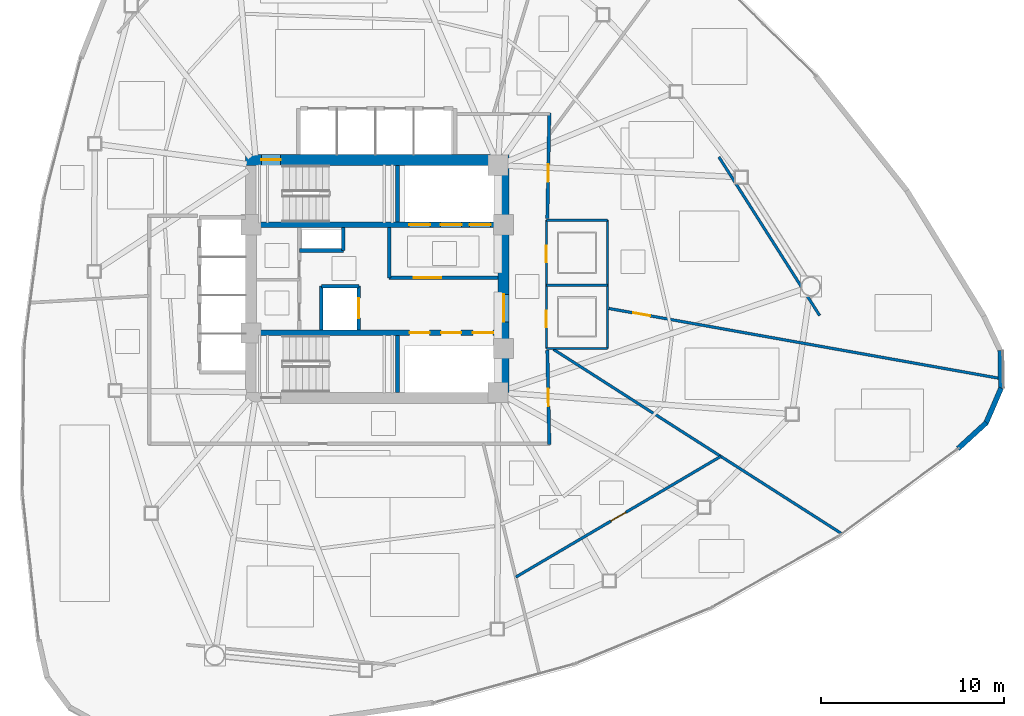
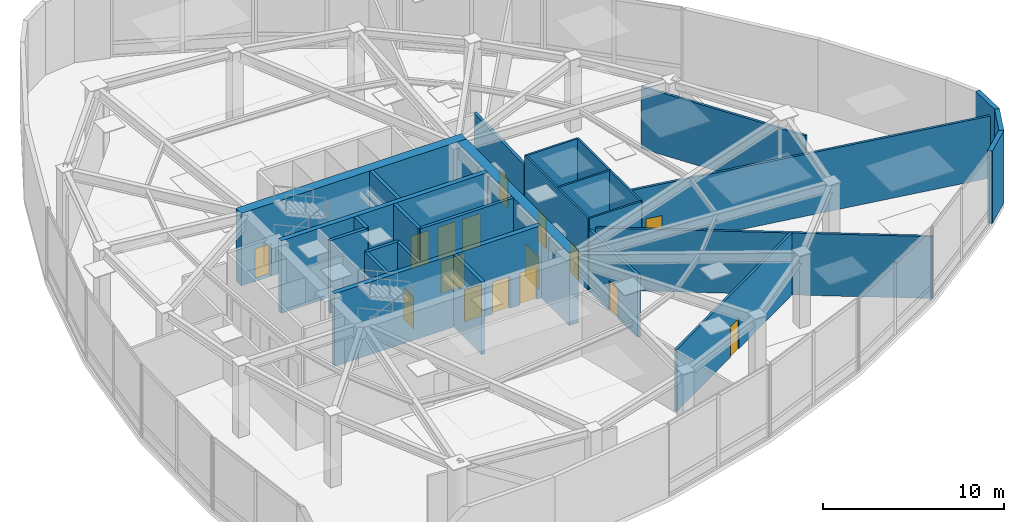
# One storey, part 10 of 14: 27 walls, 16 doors, 16 openings.
"""IFC4 building model written with IfcOpenShell, lengths in metres."""

import ifcopenshell
import ifcopenshell.guid

model = None  # the IFC model being written
_history = None  # IfcOwnerHistory: only IFC2X3 demands one
_inside = {}  # id of a spatial element -> (the spatial element, [elements in it])
_under = {}  # id of a project, library or spatial element -> (it, [spatial elements below it])
_declared = {}  # id of a project -> (the project, [libraries it declares])
_typed = {}  # id of a type object -> (the type object, [elements of that type])
_made_of = {}  # id of a material, layer set ... -> (it, [elements and type objects made of it])


def new_model(schema):
    """Start an empty IFC model of exactly this schema.

    Asked for "IFC4X3", IfcOpenShell would pick the latest addendum, in which some entities
    have other attributes; the version numbers below select the first issue.
    IFC2X3 requires an IfcOwnerHistory on every rooted entity: one is made here for all.
    """
    global model, _history
    if schema == "IFC4X3":
        model = ifcopenshell.file(schema_version=(4, 3, 0, 0))
    else:
        model = ifcopenshell.file(schema=schema)
    _inside.clear()
    _under.clear()
    _declared.clear()
    _typed.clear()
    _made_of.clear()
    _history = None
    if model.schema == "IFC2X3":
        org = make("IfcOrganization", Name="unknown")
        user = make(
            "IfcPersonAndOrganization",
            ThePerson=make("IfcPerson", FamilyName="unknown"),
            TheOrganization=org,
        )
        app = make(
            "IfcApplication",
            ApplicationDeveloper=org,
            Version="unknown",
            ApplicationFullName="unknown",
            ApplicationIdentifier="unknown",
        )
        _history = make(
            "IfcOwnerHistory",
            OwningUser=user,
            OwningApplication=app,
            ChangeAction="ADDED",
            CreationDate=0,
        )
    return model


def make(cls, **values):
    """One entity of the class cls with the attributes given. An attribute that is None is left unset."""
    return model.create_entity(
        cls, **{name: value for name, value in values.items() if value is not None}
    )


def rooted(cls, **values):
    """An entity with a GlobalId (a new one), such as an element, a storey or a relation."""
    return make(cls, GlobalId=ifcopenshell.guid.new(), OwnerHistory=_history, **values)


def si_unit(unit_type, name, prefix=None):
    """IfcSIUnit, for example si_unit("LENGTHUNIT", "METRE", prefix="MILLI")."""
    return make("IfcSIUnit", UnitType=unit_type, Prefix=prefix, Name=name)


def assignment(units):
    """IfcUnitAssignment: the units of a project."""
    return None if units is None else make("IfcUnitAssignment", Units=units)


def point(xyz):
    """IfcCartesianPoint."""
    return None if xyz is None else make("IfcCartesianPoint", Coordinates=xyz)


def direction(xyz):
    """IfcDirection."""
    return None if xyz is None else make("IfcDirection", DirectionRatios=xyz)


def frame(location, z_axis=None, x_axis=None):
    """IfcAxis2Placement3D, a coordinate frame: its origin and axes. An axis left out is left unset."""
    return make(
        "IfcAxis2Placement3D",
        Location=point(location),
        Axis=direction(z_axis),
        RefDirection=direction(x_axis),
    )


def frame_2d(location, x_axis=None):
    """IfcAxis2Placement2D, a coordinate frame in the plane: its origin and x axis."""
    return make(
        "IfcAxis2Placement2D", Location=point(location), RefDirection=direction(x_axis)
    )


def origin():
    """The frame at (0, 0, 0) with its axes left unset."""
    return frame((0.0, 0.0, 0.0))


def place(relative_to, where):
    """IfcLocalPlacement: puts the frame where relative to a parent placement (None: the world)."""
    return make(
        "IfcLocalPlacement", PlacementRelTo=relative_to, RelativePlacement=where
    )


def context(
    kind, dimensions, precision=None, world=None, true_north=None, identifier=None
):
    """IfcGeometricRepresentationContext, for example the 3D "Model" context."""
    return make(
        "IfcGeometricRepresentationContext",
        ContextIdentifier=identifier,
        ContextType=kind,
        CoordinateSpaceDimension=dimensions,
        Precision=precision,
        WorldCoordinateSystem=world,
        TrueNorth=true_north,
    )


def subcontext(parent, identifier, kind, view, scale=None):
    """IfcGeometricRepresentationSubContext, for example "Body" below "Model"."""
    return make(
        "IfcGeometricRepresentationSubContext",
        ContextIdentifier=identifier,
        ContextType=kind,
        ParentContext=parent,
        TargetScale=scale,
        TargetView=view,
    )


def project(units=None, contexts=None):
    """IfcProject with its units and contexts."""
    return rooted(
        "IfcProject",
        Name="project",
        RepresentationContexts=contexts,
        UnitsInContext=assignment(units),
    )


def spatial(cls, under=None, at=None, **own):
    """A site, building, storey or space (cls), placed at a placement, below another one or the project."""
    s = rooted(cls, ObjectPlacement=at, **own)
    if under is not None:
        _under.setdefault(under.id(), (under, []))[1].append(s)
    return s


def profile(cls, at=None, kind="AREA", **sizes):
    """A parametric profile (cls). Its sizes go by their IFC names, for example OverallWidth=200.0."""
    return make(cls, ProfileType=kind, Position=at, **sizes)


def rectangle(**sizes):
    """IfcRectangleProfileDef."""
    return profile("IfcRectangleProfileDef", **sizes)


def extrude(swept, where, along, depth):
    """IfcExtrudedAreaSolid: the profile swept, set in the frame where, extruded along a direction by depth."""
    return make(
        "IfcExtrudedAreaSolid",
        SweptArea=swept,
        Position=where,
        ExtrudedDirection=direction(along),
        Depth=depth,
    )


def shape(context_of_items, identifier, shape_type, items):
    """IfcShapeRepresentation: the items that make up one representation, for example the "Body"."""
    return make(
        "IfcShapeRepresentation",
        ContextOfItems=context_of_items,
        RepresentationIdentifier=identifier,
        RepresentationType=shape_type,
        Items=items,
    )


def material(Name=None, Category=None):
    """IfcMaterial."""
    return make("IfcMaterial", Name=Name, Category=Category)


def layer(
    of_material, thickness, ventilated=None, Name=None, Category=None, Priority=None
):
    """IfcMaterialLayer: one layer of a wall or slab, of a material (None: an air gap)."""
    return make(
        "IfcMaterialLayer",
        Material=of_material,
        LayerThickness=thickness,
        IsVentilated=ventilated,
        Name=Name,
        Category=Category,
        Priority=Priority,
    )


def layer_set(layers, Name=None):
    """IfcMaterialLayerSet."""
    return make("IfcMaterialLayerSet", MaterialLayers=layers, LayerSetName=Name)


def made_of(thing, what):
    """Note that an element or type object is made of a material, layer set ...; save() writes the relation."""
    if what is not None:
        _made_of.setdefault(what.id(), (what, []))[1].append(thing)
    return thing


def type_object(cls, material=None, **own):
    """A type object (cls), such as IfcWallType, which elements share."""
    return made_of(rooted(cls, **own), material)


def element(
    cls,
    number,
    at=None,
    inside=None,
    cuts=None,
    type_object=None,
    material=None,
    context=None,
    identifier="Body",
    shape_type=None,
    held_by="IfcProductDefinitionShape",
    body=None,
    shapes=None,
    **own,
):
    """One element of the class cls, such as IfcWall. Its Tag is "e" and its number.

    at: its placement. inside: the storey or other place that contains it. cuts: it is an
    opening in that element (IfcRelVoidsElement). A single representation is given by context,
    identifier, shape_type and body (its items); several are given by shapes. held_by: the class
    of the entity that holds the representations. save() writes the other relations.
    """
    e = rooted(cls, Tag="e%d" % number, ObjectPlacement=at, **own)
    if body is not None:
        shapes = [shape(context, identifier, shape_type, body)]
    if shapes is not None:
        e.Representation = make(held_by, Representations=shapes)
    if inside is not None:
        _inside.setdefault(inside.id(), (inside, []))[1].append(e)
    if cuts is not None:
        rooted(
            "IfcRelVoidsElement", RelatingBuildingElement=cuts, RelatedOpeningElement=e
        )
    if type_object is not None:
        _typed.setdefault(type_object.id(), (type_object, []))[1].append(e)
    return made_of(e, material)


def fill(opening, filler):
    """IfcRelFillsElement: the door or window that sits in an opening."""
    return rooted(
        "IfcRelFillsElement",
        RelatingOpeningElement=opening,
        RelatedBuildingElement=filler,
    )


def aggregate(whole, parts):
    """IfcRelAggregates: a whole, such as a stair, and the parts it consists of."""
    return rooted("IfcRelAggregates", RelatingObject=whole, RelatedObjects=parts)


def save(model, path):
    """Write the relations noted so far, then the file.

    IfcRelAggregates (storeys below a building ...), IfcRelContainedInSpatialStructure (elements
    in a storey), IfcRelDefinesByType, IfcRelAssociatesMaterial and IfcRelDeclares: one each for
    every whole, place, type object, material and project.
    """
    for whole, parts in _under.values():
        aggregate(whole, parts)
    for where, things in _inside.values():
        rooted(
            "IfcRelContainedInSpatialStructure",
            RelatedElements=things,
            RelatingStructure=where,
        )
    for kind, things in _typed.values():
        rooted("IfcRelDefinesByType", RelatedObjects=things, RelatingType=kind)
    for what, things in _made_of.values():
        rooted("IfcRelAssociatesMaterial", RelatedObjects=things, RelatingMaterial=what)
    for by, libraries in _declared.values():
        rooted("IfcRelDeclares", RelatingContext=by, RelatedDefinitions=libraries)
    model.write(path)


model = new_model("IFC4")

# Units and contexts
model_context = context("Model", 3, precision=1e-05, world=origin(), true_north=direction((0.0, 1.0)))
body_context = subcontext(model_context, "Body", "Model", "MODEL_VIEW")
ifc_project = project(units=[si_unit("LENGTHUNIT", "METRE"), si_unit("AREAUNIT", "SQUARE_METRE"), si_unit("VOLUMEUNIT", "CUBIC_METRE"), si_unit("PLANEANGLEUNIT", "RADIAN"), si_unit("MASSUNIT", "GRAM", prefix="KILO")], contexts=[model_context])

# Site, building, storey
site_placement = place(None, origin())
site = spatial("IfcSite", under=ifc_project, at=site_placement, CompositionType="ELEMENT")
building_placement = place(site_placement, origin())
building = spatial("IfcBuilding", under=site, at=building_placement, Name="Tavelor Broadcast Tower", CompositionType="ELEMENT")
storey_placement = place(building_placement, frame((0.0, 0.0, 110.39990234375)))
storey = spatial("IfcBuildingStorey", under=building, at=storey_placement, Name="L25", CompositionType="ELEMENT", Elevation=110.39990234375)

# Wall, opening, door
ifc_material_1 = material(Name="Concrete C60/75", Category="concrete")
ifc_layer_1 = layer(ifc_material_1, 0.60009765625)
ifc_layer_set_1 = layer_set([ifc_layer_1], Name="Concrete C60/75")
wall_type_1 = type_object("IfcWallType", Name="Core Shear Wall 600 mm", PredefinedType="SHEAR", material=ifc_layer_set_1)
wall_1_placement = place(storey_placement, frame((42.800048828125, 51.5, 0.0), z_axis=(0.0, 0.0, 1.0), x_axis=(1.0, 0.0, 0.0)))
wall_1 = element("IfcWall", 1, at=wall_1_placement, inside=storey, type_object=wall_type_1, Name="L25 Central Core Shear Wall N", PredefinedType="SHEAR", context=body_context, shape_type="SweptSolid", body=[
    extrude(rectangle(XDim=14.39990234375, YDim=0.60009765625, at=frame_2d((7.199951171875, 0.0))), origin(), (0.0, 0.0, 1.0), 4.900146484375),
])
opening_1_placement = place(wall_1_placement, frame((0.8798828125, 0.0, 0.0)))
opening_1 = element("IfcOpeningElement", 2, at=opening_1_placement, cuts=wall_1, Name="Opening DR11", PredefinedType="OPENING", context=body_context, shape_type="SweptSolid", body=[
    extrude(rectangle(XDim=1.050048828125, YDim=2.199951171875, at=frame_2d((0.52490234375, 1.10009765625))), frame((0.0, 0.31005859375, 0.0), z_axis=(0.0, -1.0, 0.0), x_axis=(1.0, 0.0, 0.0)), (0.0, 0.0, 1.0), 0.6201171875),
])
ifc_material_2 = material(Name="Steel S355", Category="steel")
door_type_1 = type_object("IfcDoorType", Name="Stair Core Fire Escape Door 1050x2200", OperationType="NOTDEFINED", PredefinedType="DOOR", material=ifc_material_2)
door_1_placement = place(opening_1_placement, origin())
door_1 = element("IfcDoor", 3, at=door_1_placement, inside=storey, type_object=door_type_1, Name="L25 Stair ST1 Protected Exit Door", OperationType="SINGLE_SWING_LEFT", OverallHeight=2.199951171875, OverallWidth=1.050048828125, PredefinedType="DOOR", context=body_context, shape_type="SweptSolid", body=[
    extrude(rectangle(XDim=1.050048828125, YDim=2.199951171875, at=frame_2d((0.52490234375, 1.10009765625))), frame((0.0, 0.02490234375, 0.0), z_axis=(0.0, -1.0, 0.0), x_axis=(1.0, 0.0, 0.0)), (0.0, 0.0, 1.0), 0.050048828125),
])
fill(opening_1, door_1)

wall_2_placement = place(storey_placement, frame((56.89990234375, 38.800048828125, 0.0), z_axis=(0.0, 0.0, 1.0), x_axis=(0.0, 1.0, 0.0)))
wall_2 = element("IfcWall", 4, at=wall_2_placement, inside=storey, type_object=wall_type_1, Name="L25 Central Core Shear Wall E", PredefinedType="SHEAR", context=body_context, shape_type="SweptSolid", body=[
    extrude(rectangle(XDim=12.39990234375, YDim=0.60009765625, at=frame_2d((6.199951171875, 0.0))), origin(), (0.0, 0.0, 1.0), 4.900146484375),
])
opening_2_placement = place(wall_2_placement, frame((3.85009765625, 0.0, 0.0)))
opening_2 = element("IfcOpeningElement", 5, at=opening_2_placement, cuts=wall_2, Name="Opening DR14", PredefinedType="OPENING", context=body_context, shape_type="SweptSolid", body=[
    extrude(rectangle(XDim=1.5, YDim=2.199951171875, at=frame_2d((0.75, 1.10009765625))), frame((0.0, 0.31005859375, 0.0), z_axis=(0.0, -1.0, 0.0), x_axis=(1.0, 0.0, 0.0)), (0.0, 0.0, 1.0), 0.6201171875),
])
door_type_2 = type_object("IfcDoorType", Name="Firefighting Lobby Double Fire Door 1500x2200", OperationType="NOTDEFINED", PredefinedType="DOOR", material=ifc_material_2)
door_2_placement = place(opening_2_placement, origin())
door_2 = element("IfcDoor", 6, at=door_2_placement, inside=storey, type_object=door_type_2, Name="L25 Central Core Lobby Fire Door", OperationType="SINGLE_SWING_LEFT", OverallHeight=2.199951171875, OverallWidth=1.5, PredefinedType="DOOR", context=body_context, shape_type="SweptSolid", body=[
    extrude(rectangle(XDim=1.5, YDim=2.199951171875, at=frame_2d((0.75, 1.10009765625))), frame((0.0, 0.02490234375, 0.0), z_axis=(0.0, -1.0, 0.0), x_axis=(1.0, 0.0, 0.0)), (0.0, 0.0, 1.0), 0.050048828125),
])
fill(opening_2, door_2)

# Wall, openings, doors
ifc_layer_2 = layer(ifc_material_1, 0.300048828125)
ifc_layer_set_2 = layer_set([ifc_layer_2], Name="Concrete C60/75")
wall_type_2 = type_object("IfcWallType", Name="Core Spine Shear Wall 300 mm C60", PredefinedType="SHEAR", material=ifc_layer_set_2)
wall_3_placement = place(storey_placement, frame((43.39990234375, 47.949951171875, 0.0), z_axis=(0.0, 0.0, 1.0), x_axis=(1.0, 0.0, 0.0)))
wall_3 = element("IfcWall", 7, at=wall_3_placement, inside=storey, type_object=wall_type_2, Name="L25 Central Core Shear Wall SP1", PredefinedType="SHEAR", context=body_context, shape_type="SweptSolid", body=[
    extrude(rectangle(XDim=13.2001953125, YDim=0.300048828125, at=frame_2d((6.60009765625, 0.0))), origin(), (0.0, 0.0, 1.0), 4.900146484375),
])
opening_3_placement = place(wall_3_placement, frame((8.344970703125, 0.0, 0.0)))
opening_3 = element("IfcOpeningElement", 8, at=opening_3_placement, cuts=wall_3, Name="Opening LD02", PredefinedType="OPENING", context=body_context, shape_type="SweptSolid", body=[
    extrude(rectangle(XDim=1.14990234375, YDim=2.199951171875, at=frame_2d((0.574951171875, 1.10009765625))), frame((0.0, 0.16015625, 0.0), z_axis=(0.0, -1.0, 0.0), x_axis=(1.0, 0.0, 0.0)), (0.0, 0.0, 1.0), 0.320068359375),
])
opening_4_placement = place(wall_3_placement, frame((10.06494140625, 0.0, 0.0)))
opening_4 = element("IfcOpeningElement", 9, at=opening_4_placement, cuts=wall_3, Name="Opening LD02", PredefinedType="OPENING", context=body_context, shape_type="SweptSolid", body=[
    extrude(rectangle(XDim=1.14990234375, YDim=2.199951171875, at=frame_2d((0.574951171875, 1.10009765625))), frame((0.0, 0.16015625, 0.0), z_axis=(0.0, -1.0, 0.0), x_axis=(1.0, 0.0, 0.0)), (0.0, 0.0, 1.0), 0.320068359375),
])
opening_5_placement = place(wall_3_placement, frame((11.64501953125, 0.0, 0.0)))
opening_5 = element("IfcOpeningElement", 10, at=opening_5_placement, cuts=wall_3, Name="Opening LD03", PredefinedType="OPENING", context=body_context, shape_type="SweptSolid", body=[
    extrude(rectangle(XDim=1.14990234375, YDim=2.199951171875, at=frame_2d((0.574951171875, 1.10009765625))), frame((0.0, 0.16015625, 0.0), z_axis=(0.0, -1.0, 0.0), x_axis=(1.0, 0.0, 0.0)), (0.0, 0.0, 1.0), 0.320068359375),
])
ifc_material_3 = material(Name="Reinforced Brushed Stainless Steel", Category="concrete")
door_type_3 = type_object("IfcDoorType", Name="Broadcast Goods Lift Sliding Landing Door 1250x2200", OperationType="NOTDEFINED", PredefinedType="DOOR", material=ifc_material_3)
door_3_placement = place(opening_5_placement, origin())
door_3 = element("IfcDoor", 11, at=door_3_placement, inside=storey, type_object=door_type_3, Name="L25 Lift SVL1 Sliding Landing Door", OperationType="SLIDING_TO_LEFT", OverallHeight=2.199951171875, OverallWidth=1.14990234375, PredefinedType="DOOR", context=body_context, shape_type="SweptSolid", body=[
    extrude(rectangle(XDim=1.14990234375, YDim=2.199951171875, at=frame_2d((0.574951171875, 1.10009765625))), frame((0.0, 0.02490234375, 0.0), z_axis=(0.0, -1.0, 0.0), x_axis=(1.0, 0.0, 0.0)), (0.0, 0.0, 1.0), 0.050048828125),
])
fill(opening_5, door_3)
ifc_material_4 = material(Name="Fire-Rated Stainless Steel", Category="steel")
door_type_4 = type_object("IfcDoorType", Name="Firefighting Lift Sliding Landing Door 1200x2200", OperationType="NOTDEFINED", PredefinedType="DOOR", material=ifc_material_4)
door_4_placement = place(opening_3_placement, origin())
door_4 = element("IfcDoor", 12, at=door_4_placement, inside=storey, type_object=door_type_4, Name="L25 Lift FFL1 Sliding Landing Door", OperationType="SLIDING_TO_LEFT", OverallHeight=2.199951171875, OverallWidth=1.14990234375, PredefinedType="DOOR", context=body_context, shape_type="SweptSolid", body=[
    extrude(rectangle(XDim=1.14990234375, YDim=2.199951171875, at=frame_2d((0.574951171875, 1.10009765625))), frame((0.0, 0.02490234375, 0.0), z_axis=(0.0, -1.0, 0.0), x_axis=(1.0, 0.0, 0.0)), (0.0, 0.0, 1.0), 0.050048828125),
])
fill(opening_3, door_4)
door_5_placement = place(opening_4_placement, origin())
door_5 = element("IfcDoor", 13, at=door_5_placement, inside=storey, type_object=door_type_4, Name="L25 Lift FFL2 Sliding Landing Door", OperationType="SLIDING_TO_LEFT", OverallHeight=2.199951171875, OverallWidth=1.14990234375, PredefinedType="DOOR", context=body_context, shape_type="SweptSolid", body=[
    extrude(rectangle(XDim=1.14990234375, YDim=2.199951171875, at=frame_2d((0.574951171875, 1.10009765625))), frame((0.0, 0.02490234375, 0.0), z_axis=(0.0, -1.0, 0.0), x_axis=(1.0, 0.0, 0.0)), (0.0, 0.0, 1.0), 0.050048828125),
])
fill(opening_4, door_5)

wall_4_placement = place(storey_placement, frame((43.39990234375, 42.050048828125, 0.0), z_axis=(0.0, 0.0, 1.0), x_axis=(1.0, 0.0, 0.0)))
wall_4 = element("IfcWall", 14, at=wall_4_placement, inside=storey, type_object=wall_type_2, Name="L25 Central Core Shear Wall SP2", PredefinedType="SHEAR", context=body_context, shape_type="SweptSolid", body=[
    extrude(rectangle(XDim=13.2001953125, YDim=0.300048828125, at=frame_2d((6.60009765625, 0.0))), origin(), (0.0, 0.0, 1.0), 4.900146484375),
])
opening_6_placement = place(wall_4_placement, frame((8.3701171875, 0.0, 0.0)))
opening_6 = element("IfcOpeningElement", 15, at=opening_6_placement, cuts=wall_4, Name="Opening LD01", PredefinedType="OPENING", context=body_context, shape_type="SweptSolid", body=[
    extrude(rectangle(XDim=1.10009765625, YDim=2.14990234375, at=frame_2d((0.550048828125, 1.074951171875))), frame((0.0, 0.16015625, 0.0), z_axis=(0.0, -1.0, 0.0), x_axis=(1.0, 0.0, 0.0)), (0.0, 0.0, 1.0), 0.320068359375),
])
opening_7_placement = place(wall_4_placement, frame((10.090087890625, 0.0, 0.0)))
opening_7 = element("IfcOpeningElement", 16, at=opening_7_placement, cuts=wall_4, Name="Opening LD01", PredefinedType="OPENING", context=body_context, shape_type="SweptSolid", body=[
    extrude(rectangle(XDim=1.10009765625, YDim=2.14990234375, at=frame_2d((0.550048828125, 1.074951171875))), frame((0.0, 0.16015625, 0.0), z_axis=(0.0, -1.0, 0.0), x_axis=(1.0, 0.0, 0.0)), (0.0, 0.0, 1.0), 0.320068359375),
])
opening_8_placement = place(wall_4_placement, frame((11.830078125, 0.0, 0.0)))
opening_8 = element("IfcOpeningElement", 17, at=opening_8_placement, cuts=wall_4, Name="Opening LD01", PredefinedType="OPENING", context=body_context, shape_type="SweptSolid", body=[
    extrude(rectangle(XDim=1.10009765625, YDim=2.14990234375, at=frame_2d((0.550048828125, 1.074951171875))), frame((0.0, 0.16015625, 0.0), z_axis=(0.0, -1.0, 0.0), x_axis=(1.0, 0.0, 0.0)), (0.0, 0.0, 1.0), 0.320068359375),
])
ifc_material_5 = material(Name="Brushed Stainless Steel", Category="steel")
door_type_5 = type_object("IfcDoorType", Name="Passenger Lift Sliding Landing Door 1100x2150", OperationType="NOTDEFINED", PredefinedType="DOOR", material=ifc_material_5)
door_6_placement = place(opening_6_placement, origin())
door_6 = element("IfcDoor", 18, at=door_6_placement, inside=storey, type_object=door_type_5, Name="L25 Lift PLM1 Sliding Landing Door", OperationType="SLIDING_TO_LEFT", OverallHeight=2.14990234375, OverallWidth=1.10009765625, PredefinedType="DOOR", context=body_context, shape_type="SweptSolid", body=[
    extrude(rectangle(XDim=1.10009765625, YDim=2.14990234375, at=frame_2d((0.550048828125, 1.074951171875))), frame((0.0, 0.02490234375, 0.0), z_axis=(0.0, -1.0, 0.0), x_axis=(1.0, 0.0, 0.0)), (0.0, 0.0, 1.0), 0.050048828125),
])
fill(opening_6, door_6)
door_7_placement = place(opening_7_placement, origin())
door_7 = element("IfcDoor", 19, at=door_7_placement, inside=storey, type_object=door_type_5, Name="L25 Lift PLM2 Sliding Landing Door", OperationType="SLIDING_TO_LEFT", OverallHeight=2.14990234375, OverallWidth=1.10009765625, PredefinedType="DOOR", context=body_context, shape_type="SweptSolid", body=[
    extrude(rectangle(XDim=1.10009765625, YDim=2.14990234375, at=frame_2d((0.550048828125, 1.074951171875))), frame((0.0, 0.02490234375, 0.0), z_axis=(0.0, -1.0, 0.0), x_axis=(1.0, 0.0, 0.0)), (0.0, 0.0, 1.0), 0.050048828125),
])
fill(opening_7, door_7)
door_8_placement = place(opening_8_placement, origin())
door_8 = element("IfcDoor", 20, at=door_8_placement, inside=storey, type_object=door_type_5, Name="L25 Lift PLM3 Sliding Landing Door", OperationType="SLIDING_TO_LEFT", OverallHeight=2.14990234375, OverallWidth=1.10009765625, PredefinedType="DOOR", context=body_context, shape_type="SweptSolid", body=[
    extrude(rectangle(XDim=1.10009765625, YDim=2.14990234375, at=frame_2d((0.550048828125, 1.074951171875))), frame((0.0, 0.02490234375, 0.0), z_axis=(0.0, -1.0, 0.0), x_axis=(1.0, 0.0, 0.0)), (0.0, 0.0, 1.0), 0.050048828125),
])
fill(opening_8, door_8)

# Wall, opening, door
ifc_material_6 = material(Name="Calcium Silicate Fire Board 180 mm", Category="gypsum")
ifc_layer_3 = layer(ifc_material_6, 0.179931640625)
ifc_layer_set_3 = layer_set([ifc_layer_3], Name="Calcium Silicate Fire Board 180 mm")
wall_type_3 = type_object("IfcWallType", Name="Fire-Rated Corridor Partition Wall 180 mm", PredefinedType="PARTITIONING", material=ifc_layer_set_3)
wall_5_placement = place(storey_placement, frame((59.40087890625, 54.050048828125, 0.0), z_axis=(0.0, 0.0, 1.0), x_axis=(-0.019103170983, -0.999817517779, 0.0)))
wall_5 = element("IfcWall", 21, at=wall_5_placement, inside=storey, type_object=wall_type_3, Name="L25 Corridor Compartment Wall 02", PredefinedType="PARTITIONING", context=body_context, shape_type="SweptSolid", body=[
    extrude(rectangle(XDim=5.7509765625, YDim=0.179931640625, at=frame_2d((2.87548828125, 0.0))), origin(), (0.0, 0.0, 1.0), 4.18505859375),
])
opening_9_placement = place(wall_5_placement, frame((2.80224609375, 0.0, 0.0)))
opening_9 = element("IfcOpeningElement", 22, at=opening_9_placement, cuts=wall_5, Name="Opening DR18", PredefinedType="OPENING", context=body_context, shape_type="SweptSolid", body=[
    extrude(rectangle(XDim=0.949951171875, YDim=2.050048828125, at=frame_2d((0.47509765625, 1.02490234375))), frame((0.0, 0.10009765625, 0.0), z_axis=(0.0, -1.0, 0.0), x_axis=(1.0, 0.0, 0.0)), (0.0, 0.0, 1.0), 0.199951171875),
])
ifc_material_7 = material(Name="Timber Solid Core Hardwood", Category="wood")
door_type_6 = type_object("IfcDoorType", Name="Corridor Rated Compartment Door 950x2050", OperationType="NOTDEFINED", PredefinedType="DOOR", material=ifc_material_7)
door_9_placement = place(opening_9_placement, origin())
door_9 = element("IfcDoor", 23, at=door_9_placement, inside=storey, type_object=door_type_6, Name="L25 Talent Concierge Desk Door R0", OperationType="SINGLE_SWING_RIGHT", OverallHeight=2.050048828125, OverallWidth=0.949951171875, PredefinedType="DOOR", context=body_context, shape_type="SweptSolid", body=[
    extrude(rectangle(XDim=0.949951171875, YDim=2.050048828125, at=frame_2d((0.47509765625, 1.02490234375))), frame((0.0, 0.02490234375, 0.0), z_axis=(0.0, -1.0, 0.0), x_axis=(1.0, 0.0, 0.0)), (0.0, 0.0, 1.0), 0.050048828125),
])
fill(opening_9, door_9)

wall_6_placement = place(storey_placement, frame((59.291015625, 41.10009765625, 0.0), z_axis=(0.0, 0.0, 1.0), x_axis=(0.021374589398, -0.999771537366, 0.0)))
wall_6 = element("IfcWall", 24, at=wall_6_placement, inside=storey, type_object=wall_type_3, Name="L25 Corridor Compartment Wall 03", PredefinedType="PARTITIONING", context=body_context, shape_type="SweptSolid", body=[
    extrude(rectangle(XDim=5.1513671875, YDim=0.179931640625, at=frame_2d((2.57568359375, 0.0))), origin(), (0.0, 0.0, 1.0), 4.18505859375),
])
opening_10_placement = place(wall_6_placement, frame((2.1005859375, 0.0, 0.0)))
opening_10 = element("IfcOpeningElement", 25, at=opening_10_placement, cuts=wall_6, Name="Opening DR18", PredefinedType="OPENING", context=body_context, shape_type="SweptSolid", body=[
    extrude(rectangle(XDim=0.949951171875, YDim=2.050048828125, at=frame_2d((0.47509765625, 1.02490234375))), frame((0.0, 0.10009765625, 0.0), z_axis=(0.0, -1.0, 0.0), x_axis=(1.0, 0.0, 0.0)), (0.0, 0.0, 1.0), 0.199951171875),
])
door_10_placement = place(opening_10_placement, origin())
door_10 = element("IfcDoor", 26, at=door_10_placement, inside=storey, type_object=door_type_6, Name="L25 Audio Dubbing Studio Door R6", OperationType="SINGLE_SWING_LEFT", OverallHeight=2.050048828125, OverallWidth=0.949951171875, PredefinedType="DOOR", context=body_context, shape_type="SweptSolid", body=[
    extrude(rectangle(XDim=0.949951171875, YDim=2.050048828125, at=frame_2d((0.47509765625, 1.02490234375))), frame((0.0, 0.02490234375, 0.0), z_axis=(0.0, -1.0, 0.0), x_axis=(1.0, 0.0, 0.0)), (0.0, 0.0, 1.0), 0.050048828125),
])
fill(opening_10, door_10)

# Walls
ifc_material_8 = material(Name="Precast Concrete C40/50", Category="concrete")
ifc_layer_4 = layer(ifc_material_8, 0.280029296875)
ifc_layer_set_4 = layer_set([ifc_layer_4], Name="Precast Concrete C40/50")
wall_type_4 = type_object("IfcWallType", Name="Insulated Precast Terracotta Facade Wall 280 mm", PredefinedType="STANDARD", material=ifc_layer_set_4)
wall_7_placement = place(storey_placement, frame((81.715576171875, 35.728759765625, 0.0), z_axis=(0.0, 0.0, 1.0), x_axis=(0.737892982282, 0.674917733282, 0.0)))
element("IfcWall", 27, at=wall_7_placement, inside=storey, type_object=wall_type_4, Name="L25 Rounded Corner Structural Cladding Pier 21", PredefinedType="STANDARD", context=body_context, shape_type="SweptSolid", body=[
    extrude(rectangle(XDim=2.097412109375, YDim=0.280029296875, at=frame_2d((1.048828125, 0.0))), origin(), (0.0, 0.0, 1.0), 4.900146484375),
])
wall_8_placement = place(storey_placement, frame((83.24609375, 37.12060546875, 0.0), z_axis=(0.0, 0.0, 1.0), x_axis=(0.39478079267, 0.918775340189, 0.0)))
element("IfcWall", 28, at=wall_8_placement, inside=storey, type_object=wall_type_4, Name="L25 Rounded Corner Structural Cladding Pier 22", PredefinedType="STANDARD", context=body_context, shape_type="SweptSolid", body=[
    extrude(rectangle(XDim=2.0859375, YDim=0.280029296875, at=frame_2d((1.04296875, 0.0))), origin(), (0.0, 0.0, 1.0), 4.900146484375),
])
wall_9_placement = place(storey_placement, frame((84.06396484375, 39.00830078125, 0.0), z_axis=(0.0, 0.0, 1.0), x_axis=(-0.018259657159, 0.999833278562, 0.0)))
element("IfcWall", 29, at=wall_9_placement, inside=storey, type_object=wall_type_4, Name="L25 Rounded Corner Structural Cladding Pier 23", PredefinedType="STANDARD", context=body_context, shape_type="SweptSolid", body=[
    extrude(rectangle(XDim=2.085693359375, YDim=0.280029296875, at=frame_2d((1.04296875, 0.0))), origin(), (0.0, 0.0, 1.0), 4.900146484375),
])
ifc_material_9 = material(Name="Gypsum Acoustic Plasterboard 150 mm", Category="gypsum")
ifc_layer_5 = layer(ifc_material_9, 0.14990234375)
ifc_layer_set_5 = layer_set([ifc_layer_5], Name="Gypsum Acoustic Plasterboard 150 mm")
wall_type_5 = type_object("IfcWallType", Name="Interior Acoustic Partition Wall 150 mm", PredefinedType="PARTITIONING", material=ifc_layer_set_5)
wall_10_placement = place(storey_placement, frame((74.16259765625, 42.9931640625, 0.0), z_axis=(0.0, 0.0, 1.0), x_axis=(-0.53628142437, 0.844039237166, 0.0)))
element("IfcWall", 30, at=wall_10_placement, inside=storey, type_object=wall_type_5, Name="L25 Corner Tube Brace Furring Wall 3", PredefinedType="PARTITIONING", context=body_context, shape_type="SweptSolid", body=[
    extrude(rectangle(XDim=10.266845703125, YDim=0.14990234375, at=frame_2d((5.13330078125, 0.0))), origin(), (0.0, 0.0, 1.0), 4.18505859375),
])
wall_11_placement = place(storey_placement, frame((59.62109375, 41.14990234375, 0.0), z_axis=(0.0, 0.0, 1.0), x_axis=(0.842493606908, -0.538706341451, 0.0)))
element("IfcWall", 31, at=wall_11_placement, inside=storey, type_object=wall_type_5, Name="L25 Radial Compartment Wall 02", PredefinedType="PARTITIONING", context=body_context, shape_type="SweptSolid", body=[
    extrude(rectangle(XDim=18.710693359375, YDim=0.14990234375, at=frame_2d((9.35546875, 0.0))), origin(), (0.0, 0.0, 1.0), 4.18505859375),
])

# Wall, opening, door
wall_12_placement = place(storey_placement, frame((62.64990234375, 43.381103515625, 0.0), z_axis=(0.0, 0.0, 1.0), x_axis=(0.984377109133, -0.176073016146, 0.0)))
wall_12 = element("IfcWall", 32, at=wall_12_placement, inside=storey, type_object=wall_type_5, Name="L25 Radial Compartment Wall 03", PredefinedType="PARTITIONING", context=body_context, shape_type="SweptSolid", body=[
    extrude(rectangle(XDim=21.754150390625, YDim=0.14990234375, at=frame_2d((10.876953125, 0.0))), origin(), (0.0, 0.0, 1.0), 4.18505859375),
])
opening_11_placement = place(wall_12_placement, frame((1.35009765625, 0.0, 0.0)))
opening_11 = element("IfcOpeningElement", 33, at=opening_11_placement, cuts=wall_12, Name="Opening DR18", PredefinedType="OPENING", context=body_context, shape_type="SweptSolid", body=[
    extrude(rectangle(XDim=0.949951171875, YDim=2.050048828125, at=frame_2d((0.47509765625, 1.02490234375))), frame((0.0, 0.0849609375, 0.0), z_axis=(0.0, -1.0, 0.0), x_axis=(1.0, 0.0, 0.0)), (0.0, 0.0, 1.0), 0.169921875),
])
door_11_placement = place(opening_11_placement, origin())
door_11 = element("IfcDoor", 34, at=door_11_placement, inside=storey, type_object=door_type_6, Name="L25 Suite Connecting Door 1", OperationType="SINGLE_SWING_LEFT", OverallHeight=2.050048828125, OverallWidth=0.949951171875, PredefinedType="DOOR", context=body_context, shape_type="SweptSolid", body=[
    extrude(rectangle(XDim=0.949951171875, YDim=2.050048828125, at=frame_2d((0.47509765625, 1.02490234375))), frame((0.0, 0.02490234375, 0.0), z_axis=(0.0, -1.0, 0.0), x_axis=(1.0, 0.0, 0.0)), (0.0, 0.0, 1.0), 0.050048828125),
])
fill(opening_11, door_11)

wall_13_placement = place(storey_placement, frame((57.5673828125, 28.710205078125, 0.0), z_axis=(0.0, 0.0, 1.0), x_axis=(0.861688261209, 0.507438016407, 0.0)))
wall_13 = element("IfcWall", 35, at=wall_13_placement, inside=storey, type_object=wall_type_5, Name="L25 Suite Chord Partition Wall 01", PredefinedType="PARTITIONING", context=body_context, shape_type="SweptSolid", body=[
    extrude(rectangle(XDim=12.99365234375, YDim=0.14990234375, at=frame_2d((6.496826171875, 0.0))), origin(), (0.0, 0.0, 1.0), 4.18505859375),
])
opening_12_placement = place(wall_13_placement, frame((6.02197265625, 0.0, 0.0)))
opening_12 = element("IfcOpeningElement", 36, at=opening_12_placement, cuts=wall_13, Name="Opening DR23", PredefinedType="OPENING", context=body_context, shape_type="SweptSolid", body=[
    extrude(rectangle(XDim=0.949951171875, YDim=2.050048828125, at=frame_2d((0.47509765625, 1.02490234375))), frame((0.0, 0.0849609375, 0.0), z_axis=(0.0, -1.0, 0.0), x_axis=(1.0, 0.0, 0.0)), (0.0, 0.0, 1.0), 0.169921875),
])
door_type_7 = type_object("IfcDoorType", Name="Editorial Room Acoustic Door 950x2050", OperationType="NOTDEFINED", PredefinedType="DOOR", material=ifc_material_7)
door_12_placement = place(opening_12_placement, origin())
door_12 = element("IfcDoor", 37, at=door_12_placement, inside=storey, type_object=door_type_7, Name="L25 Outer Suite Partition Door 1", OperationType="SINGLE_SWING_RIGHT", OverallHeight=2.050048828125, OverallWidth=0.949951171875, PredefinedType="DOOR", context=body_context, shape_type="SweptSolid", body=[
    extrude(rectangle(XDim=0.949951171875, YDim=2.050048828125, at=frame_2d((0.47509765625, 1.02490234375))), frame((0.0, 0.02490234375, 0.0), z_axis=(0.0, -1.0, 0.0), x_axis=(1.0, 0.0, 0.0)), (0.0, 0.0, 1.0), 0.050048828125),
])
fill(opening_12, door_12)

ifc_material_10 = material(Name="Concrete Blockwork 200 mm", Category="masonry")
ifc_layer_6 = layer(ifc_material_10, 0.199951171875)
ifc_layer_set_6 = layer_set([ifc_layer_6], Name="Concrete Blockwork 200 mm")
wall_type_6 = type_object("IfcWallType", Name="Lift Hoistway Rated Front Wall 200 mm", PredefinedType="PARTITIONING", material=ifc_layer_set_6)
wall_14_placement = place(storey_placement, frame((49.0, 42.199951171875, 0.0), z_axis=(0.0, 0.0, 1.0), x_axis=(0.0, 1.0, 0.0)))
wall_14 = element("IfcWall", 38, at=wall_14_placement, inside=storey, type_object=wall_type_6, Name="L25 Mid-Rise Lift PLM4 Hoistway Front Wall", PredefinedType="PARTITIONING", context=body_context, shape_type="SweptSolid", body=[
    extrude(rectangle(XDim=2.400146484375, YDim=0.199951171875, at=frame_2d((1.2001953125, 0.0))), origin(), (0.0, 0.0, 1.0), 4.900146484375),
])
opening_13_placement = place(wall_14_placement, frame((0.64990234375, 0.0, 0.0)))
opening_13 = element("IfcOpeningElement", 39, at=opening_13_placement, cuts=wall_14, Name="Opening LD01", PredefinedType="OPENING", context=body_context, shape_type="SweptSolid", body=[
    extrude(rectangle(XDim=1.10009765625, YDim=2.14990234375, at=frame_2d((0.550048828125, 1.074951171875))), frame((0.0, 0.10986328125, 0.0), z_axis=(0.0, -1.0, 0.0), x_axis=(1.0, 0.0, 0.0)), (0.0, 0.0, 1.0), 0.219970703125),
])
door_13_placement = place(opening_13_placement, origin())
door_13 = element("IfcDoor", 40, at=door_13_placement, inside=storey, type_object=door_type_5, Name="L25 Lift PLM4 Sliding Landing Door", OperationType="SLIDING_TO_RIGHT", OverallHeight=2.14990234375, OverallWidth=1.10009765625, PredefinedType="DOOR", context=body_context, shape_type="SweptSolid", body=[
    extrude(rectangle(XDim=1.10009765625, YDim=2.14990234375, at=frame_2d((0.550048828125, 1.074951171875))), frame((0.0, 0.02490234375, 0.0), z_axis=(0.0, -1.0, 0.0), x_axis=(1.0, 0.0, 0.0)), (0.0, 0.0, 1.0), 0.050048828125),
])
fill(opening_13, door_13)

# Walls
ifc_layer_7 = layer(ifc_material_10, 0.199951171875)
ifc_layer_set_7 = layer_set([ifc_layer_7], Name="Concrete Blockwork 200 mm")
wall_type_7 = type_object("IfcWallType", Name="Lift and Riser Shaft Enclosure Wall 200 mm", PredefinedType="PARTITIONING", material=ifc_layer_set_7)
wall_15_placement = place(storey_placement, frame((45.75, 46.550048828125, 0.0), z_axis=(0.0, 0.0, 1.0), x_axis=(1.0, 0.0, 0.0)))
element("IfcWall", 41, at=wall_15_placement, inside=storey, type_object=wall_type_7, Name="L25 Riser Shaft South Wall", PredefinedType="PARTITIONING", context=body_context, shape_type="SweptSolid", body=[
    extrude(rectangle(XDim=2.39990234375, YDim=0.199951171875, at=frame_2d((1.199951171875, 0.0))), origin(), (0.0, 0.0, 1.0), 4.900146484375),
])
wall_16_placement = place(storey_placement, frame((48.14990234375, 46.550048828125, 0.0), z_axis=(0.0, 0.0, 1.0), x_axis=(0.0, 1.0, 0.0)))
element("IfcWall", 42, at=wall_16_placement, inside=storey, type_object=wall_type_7, Name="L25 Riser Shaft East Wall", PredefinedType="PARTITIONING", context=body_context, shape_type="SweptSolid", body=[
    extrude(rectangle(XDim=1.25, YDim=0.199951171875, at=frame_2d((0.625, 0.0))), origin(), (0.0, 0.0, 1.0), 4.900146484375),
])
wall_17_placement = place(storey_placement, frame((46.949951171875, 42.199951171875, 0.0), z_axis=(0.0, 0.0, 1.0), x_axis=(0.0, 1.0, 0.0)))
element("IfcWall", 43, at=wall_17_placement, inside=storey, type_object=wall_type_7, Name="L25 Mid-Rise Lift PLM4 West Wall", PredefinedType="PARTITIONING", context=body_context, shape_type="SweptSolid", body=[
    extrude(rectangle(XDim=2.400146484375, YDim=0.199951171875, at=frame_2d((1.2001953125, 0.0))), origin(), (0.0, 0.0, 1.0), 4.900146484375),
])
wall_18_placement = place(storey_placement, frame((46.949951171875, 44.60009765625, 0.0), z_axis=(0.0, 0.0, 1.0), x_axis=(1.0, 0.0, 0.0)))
element("IfcWall", 44, at=wall_18_placement, inside=storey, type_object=wall_type_7, Name="L25 Mid-Rise Lift PLM4 North Wall", PredefinedType="PARTITIONING", context=body_context, shape_type="SweptSolid", body=[
    extrude(rectangle(XDim=2.050048828125, YDim=0.199951171875, at=frame_2d((1.02490234375, 0.0))), origin(), (0.0, 0.0, 1.0), 4.900146484375),
])

# Wall, opening, door
wall_19_placement = place(storey_placement, frame((50.64990234375, 45.050048828125, 0.0), z_axis=(0.0, 0.0, 1.0), x_axis=(1.0, 0.0, 0.0)))
wall_19 = element("IfcWall", 45, at=wall_19_placement, inside=storey, type_object=wall_type_7, Name="L25 Firefighting Lobby South Wall", PredefinedType="PARTITIONING", context=body_context, shape_type="SweptSolid", body=[
    extrude(rectangle(XDim=5.9501953125, YDim=0.199951171875, at=frame_2d((2.97509765625, 0.0))), origin(), (0.0, 0.0, 1.0), 4.900146484375),
])
opening_14_placement = place(wall_19_placement, frame((1.35009765625, 0.0, 0.0)))
opening_14 = element("IfcOpeningElement", 46, at=opening_14_placement, cuts=wall_19, Name="Opening DR14", PredefinedType="OPENING", context=body_context, shape_type="SweptSolid", body=[
    extrude(rectangle(XDim=1.5, YDim=2.199951171875, at=frame_2d((0.75, 1.10009765625))), frame((0.0, 0.10986328125, 0.0), z_axis=(0.0, -1.0, 0.0), x_axis=(1.0, 0.0, 0.0)), (0.0, 0.0, 1.0), 0.219970703125),
])
door_14_placement = place(opening_14_placement, origin())
door_14 = element("IfcDoor", 47, at=door_14_placement, inside=storey, type_object=door_type_2, Name="L25 Firefighting Lobby Compartment Door", OperationType="SINGLE_SWING_RIGHT", OverallHeight=2.199951171875, OverallWidth=1.5, PredefinedType="DOOR", context=body_context, shape_type="SweptSolid", body=[
    extrude(rectangle(XDim=1.5, YDim=2.199951171875, at=frame_2d((0.75, 1.10009765625))), frame((0.0, 0.02490234375, 0.0), z_axis=(0.0, -1.0, 0.0), x_axis=(1.0, 0.0, 0.0)), (0.0, 0.0, 1.0), 0.050048828125),
])
fill(opening_14, door_14)

# Wall
wall_20_placement = place(storey_placement, frame((50.64990234375, 45.050048828125, 0.0), z_axis=(0.0, 0.0, 1.0), x_axis=(0.0, 1.0, 0.0)))
element("IfcWall", 48, at=wall_20_placement, inside=storey, type_object=wall_type_7, Name="L25 Firefighting Lobby West Wall", PredefinedType="PARTITIONING", context=body_context, shape_type="SweptSolid", body=[
    extrude(rectangle(XDim=2.75, YDim=0.199951171875, at=frame_2d((1.375, 0.0))), origin(), (0.0, 0.0, 1.0), 4.900146484375),
])

# Wall, openings, doors
ifc_material_11 = material(Name="Moisture-Resistant Plasterboard 120 mm", Category="gypsum")
ifc_layer_8 = layer(ifc_material_11, 0.1201171875)
ifc_layer_set_8 = layer_set([ifc_layer_8], Name="Moisture-Resistant Plasterboard 120 mm")
wall_type_8 = type_object("IfcWallType", Name="Moisture-Resistant Wet-Room Partition 120 mm", PredefinedType="PARTITIONING", material=ifc_layer_set_8)
wall_21_placement = place(storey_placement, frame((59.239990234375, 41.199951171875, 0.0), z_axis=(0.0, 0.0, 1.0), x_axis=(0.0, 1.0, 0.0)))
wall_21 = element("IfcWall", 49, at=wall_21_placement, inside=storey, type_object=wall_type_8, Name="L25 Floor Washrooms West Wall", PredefinedType="PARTITIONING", context=body_context, shape_type="SweptSolid", body=[
    extrude(rectangle(XDim=7.0, YDim=0.1201171875, at=frame_2d((3.5, 0.0))), origin(), (0.0, 0.0, 1.0), 4.900146484375),
])
opening_15_placement = place(wall_21_placement, frame((1.14990234375, 0.0, 0.0)))
opening_15 = element("IfcOpeningElement", 50, at=opening_15_placement, cuts=wall_21, Name="Opening DR32", PredefinedType="OPENING", context=body_context, shape_type="SweptSolid", body=[
    extrude(rectangle(XDim=0.89990234375, YDim=2.050048828125, at=frame_2d((0.449951171875, 1.02490234375))), frame((0.0, 0.070068359375, 0.0), z_axis=(0.0, -1.0, 0.0), x_axis=(1.0, 0.0, 0.0)), (0.0, 0.0, 1.0), 0.14013671875),
])
opening_16_placement = place(wall_21_placement, frame((4.699951171875, 0.0, 0.0)))
opening_16 = element("IfcOpeningElement", 51, at=opening_16_placement, cuts=wall_21, Name="Opening DR32", PredefinedType="OPENING", context=body_context, shape_type="SweptSolid", body=[
    extrude(rectangle(XDim=0.89990234375, YDim=2.050048828125, at=frame_2d((0.449951171875, 1.02490234375))), frame((0.0, 0.070068359375, 0.0), z_axis=(0.0, -1.0, 0.0), x_axis=(1.0, 0.0, 0.0)), (0.0, 0.0, 1.0), 0.14013671875),
])
door_type_8 = type_object("IfcDoorType", Name="Accessible Washroom Door 900x2050", OperationType="NOTDEFINED", PredefinedType="DOOR", material=ifc_material_7)
door_15_placement = place(opening_15_placement, origin())
door_15 = element("IfcDoor", 52, at=door_15_placement, inside=storey, type_object=door_type_8, Name="L25 Accessible WC Door", OperationType="SINGLE_SWING_LEFT", OverallHeight=2.050048828125, OverallWidth=0.89990234375, PredefinedType="DOOR", context=body_context, shape_type="SweptSolid", body=[
    extrude(rectangle(XDim=0.89990234375, YDim=2.050048828125, at=frame_2d((0.449951171875, 1.02490234375))), frame((0.0, 0.02490234375, 0.0), z_axis=(0.0, -1.0, 0.0), x_axis=(1.0, 0.0, 0.0)), (0.0, 0.0, 1.0), 0.050048828125),
])
fill(opening_15, door_15)
door_16_placement = place(opening_16_placement, origin())
door_16 = element("IfcDoor", 53, at=door_16_placement, inside=storey, type_object=door_type_8, Name="L25 Staff Washroom WC Door", OperationType="SINGLE_SWING_RIGHT", OverallHeight=2.050048828125, OverallWidth=0.89990234375, PredefinedType="DOOR", context=body_context, shape_type="SweptSolid", body=[
    extrude(rectangle(XDim=0.89990234375, YDim=2.050048828125, at=frame_2d((0.449951171875, 1.02490234375))), frame((0.0, 0.02490234375, 0.0), z_axis=(0.0, -1.0, 0.0), x_axis=(1.0, 0.0, 0.0)), (0.0, 0.0, 1.0), 0.050048828125),
])
fill(opening_16, door_16)

# Walls
for number, where, z_axis, x_axis, name in (
    (54, (59.239990234375, 41.199951171875, 0.0), (0.0, 0.0, 1.0), (1.0, 0.0, 0.0), "L25 Floor Washrooms South Wall"),
    (55, (59.239990234375, 44.64990234375, 0.0), (0.0, 0.0, 1.0), (1.0, 0.0, 0.0), "L25 Floor Washrooms Divider Wall"),
    (56, (59.239990234375, 48.199951171875, 0.0), (0.0, 0.0, 1.0), (1.0, 0.0, 0.0), "L25 Floor Washrooms North Wall"),
):
    element("IfcWall", number, at=place(storey_placement, frame(where, z_axis=z_axis, x_axis=x_axis)), inside=storey, type_object=wall_type_8, Name=name, PredefinedType="PARTITIONING", context=body_context, shape_type="SweptSolid", body=[
        extrude(rectangle(XDim=3.340087890625, YDim=0.1201171875, at=frame_2d((1.669921875, 0.0))), origin(), (0.0, 0.0, 1.0), 4.900146484375),
    ])
wall_22_placement = place(storey_placement, frame((62.580078125, 41.199951171875, 0.0), z_axis=(0.0, 0.0, 1.0), x_axis=(0.0, 1.0, 0.0)))
element("IfcWall", 57, at=wall_22_placement, inside=storey, type_object=wall_type_8, Name="L25 Floor Washrooms East Wall", PredefinedType="PARTITIONING", context=body_context, shape_type="SweptSolid", body=[
    extrude(rectangle(XDim=7.0, YDim=0.1201171875, at=frame_2d((3.5, 0.0))), origin(), (0.0, 0.0, 1.0), 4.900146484375),
])
ifc_material_12 = material(Name="Concrete C40/50", Category="concrete")
ifc_layer_9 = layer(ifc_material_12, 0.219970703125)
ifc_layer_set_9 = layer_set([ifc_layer_9], Name="Concrete C40/50")
wall_type_9 = type_object("IfcWallType", Name="Structural Stairwell Shear Wall 220 mm", PredefinedType="SHEAR", material=ifc_layer_set_9)
for number, where, z_axis, x_axis, name in (
    (58, (51.110107421875, 48.10009765625, 0.0), (0.0, 0.0, 1.0), (0.0, 1.0, 0.0), "L25 Stair ST1 Structural Shaft Wall"),
    (59, (51.110107421875, 38.800048828125, 0.0), (0.0, 0.0, 1.0), (0.0, 1.0, 0.0), "L25 Stair ST2 Structural Shaft Wall"),
):
    element("IfcWall", number, at=place(storey_placement, frame(where, z_axis=z_axis, x_axis=x_axis)), inside=storey, type_object=wall_type_9, Name=name, PredefinedType="SHEAR", context=body_context, shape_type="SweptSolid", body=[
        extrude(rectangle(XDim=3.099853515625, YDim=0.219970703125, at=frame_2d((1.5498046875, 0.0))), origin(), (0.0, 0.0, 1.0), 4.900146484375),
    ])

save(model, "model.ifc")
